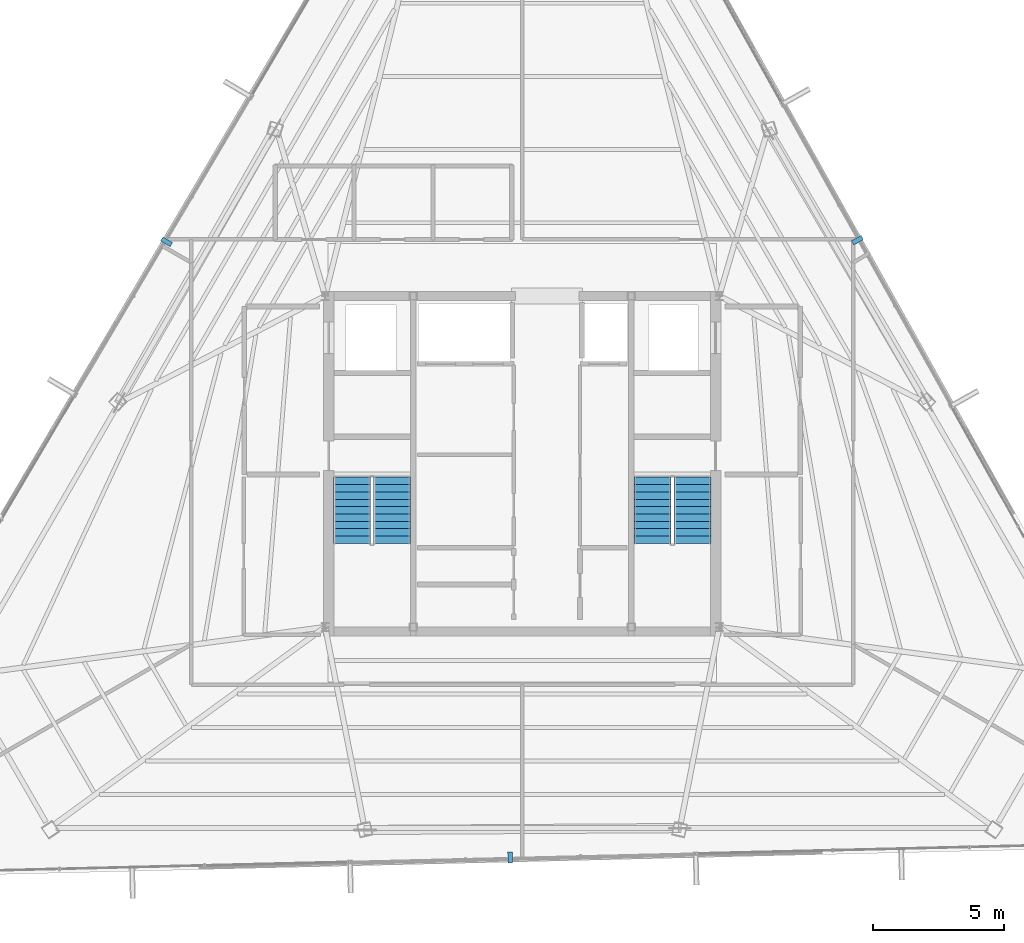
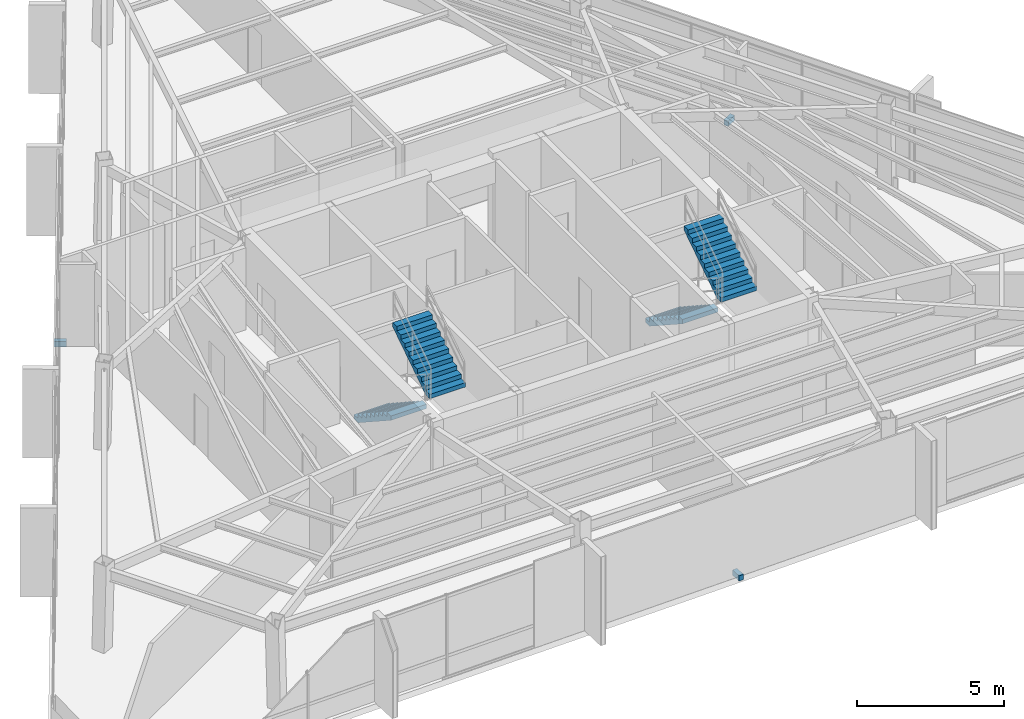
# One storey, part 43 of 45: 4 stair flights, 3 discrete accessories, 2 elements without a shape of their own.
"""IFC4 building model written with IfcOpenShell, lengths in metres."""

from ifc_helpers import new_model, si_unit, direction, frame, origin, origin_2d, place, context, subcontext, project, spatial, polyline, rectangle, outline, extrude, source, transform, mapped, material, type_object, type_shapes, element, aggregate, save


model = new_model("IFC4")

# Units and contexts
model_context = context("Model", 3, precision=1e-05, world=origin(), true_north=direction((0.0, 1.0)))
body_context = subcontext(model_context, "Body", "Model", "MODEL_VIEW")
ifc_project = project(units=[si_unit("LENGTHUNIT", "METRE"), si_unit("AREAUNIT", "SQUARE_METRE"), si_unit("VOLUMEUNIT", "CUBIC_METRE"), si_unit("PLANEANGLEUNIT", "RADIAN"), si_unit("MASSUNIT", "GRAM", prefix="KILO")], contexts=[model_context])

# Site, building, storey
site_placement = place(None, origin())
site = spatial("IfcSite", under=ifc_project, at=site_placement, CompositionType="ELEMENT")
building_placement = place(site_placement, origin())
building = spatial("IfcBuilding", under=site, at=building_placement, Name="Caelisora Broadcast Tower", CompositionType="ELEMENT")
storey_placement = place(building_placement, frame((0.0, 0.0, 273.64990234375)))
storey = spatial("IfcBuildingStorey", under=building, at=storey_placement, Name="L72", CompositionType="ELEMENT", Elevation=273.64990234375)

# Stair, stair flights
ifc_material_1 = material(Name="Concrete 40 MPa (AS 3600 N40)", Category="concrete")
stair_type_1 = type_object("IfcStairType", Name="ST-1", PredefinedType="HALF_TURN_STAIR", material=ifc_material_1)
stair_1_placement = place(storey_placement, origin())
stair_1 = element("IfcStair", 1, at=stair_1_placement, inside=storey, type_object=stair_type_1, Name="L72 West Fire-Isolated Tower Stair", PredefinedType="HALF_TURN_STAIR")
stair_flight_type = type_object("IfcStairFlightType", Name="STF-4", PredefinedType="STRAIGHT", material=ifc_material_1)
stair_flight_1_placement = place(storey_placement, frame((31.52001953125, 23.10009765625, 0.0), z_axis=(0.0, 0.0, 1.0), x_axis=(0.0, -1.0, 0.0)))
stair_flight_1 = element("IfcStairFlight", 2, at=stair_flight_1_placement, type_object=stair_flight_type, Name="ST-1 flight 1", NumberOfRisers=10, NumberOfTreads=9, PredefinedType="STRAIGHT", RiserHeight=0.1825, TreadLength=0.28, context=body_context, shape_type="SweptSolid", body=[
    extrude(outline(polyline([(0.0, 0.0), (0.0, 0.1826171875), (0.280029296875, 0.1826171875), (0.280029296875, 0.364990234375), (0.56005859375, 0.364990234375), (0.56005859375, 0.547607421875), (0.840087890625, 0.547607421875), (0.840087890625, 0.72998046875), (1.1201171875, 0.72998046875), (1.1201171875, 0.91259765625), (1.39990234375, 0.91259765625), (1.39990234375, 1.094970703125), (1.679931640625, 1.094970703125), (1.679931640625, 1.277587890625), (1.9599609375, 1.277587890625), (1.9599609375, 1.4599609375), (2.239990234375, 1.4599609375), (2.239990234375, 1.642578125), (2.52001953125, 1.642578125), (2.52001953125, 1.824951171875), (2.52001953125, 1.463623046875), (0.2744140625, 0.0), (0.0, 0.0)])), frame((0.0, 0.699951171875, 0.0), z_axis=(0.0, -1.0, 0.0), x_axis=(1.0, 0.0, 0.0)), (0.0, 0.0, 1.0), 1.39990234375),
])
stair_flight_2_placement = place(storey_placement, frame((33.0400390625, 20.580078125, 1.8251953125), z_axis=(0.0, 0.0, 1.0), x_axis=(0.0, 1.0, 0.0)))
stair_flight_2 = element("IfcStairFlight", 3, at=stair_flight_2_placement, type_object=stair_flight_type, Name="ST-1 flight 2", NumberOfRisers=10, NumberOfTreads=9, PredefinedType="STRAIGHT", RiserHeight=0.1825, TreadLength=0.28, context=body_context, shape_type="SweptSolid", body=[
    extrude(outline(polyline([(0.0, 0.0), (0.0, 0.1826171875), (0.280029296875, 0.1826171875), (0.280029296875, 0.364990234375), (0.56005859375, 0.364990234375), (0.56005859375, 0.547607421875), (0.840087890625, 0.547607421875), (0.840087890625, 0.72998046875), (1.1201171875, 0.72998046875), (1.1201171875, 0.91259765625), (1.39990234375, 0.91259765625), (1.39990234375, 1.094970703125), (1.679931640625, 1.094970703125), (1.679931640625, 1.277587890625), (1.9599609375, 1.277587890625), (1.9599609375, 1.4599609375), (2.239990234375, 1.4599609375), (2.239990234375, 1.642578125), (2.52001953125, 1.642578125), (2.52001953125, 1.824951171875), (2.52001953125, 1.463623046875), (0.2744140625, 0.0), (0.0, 0.0)])), frame((0.0, 0.699951171875, 0.0), z_axis=(0.0, -1.0, 0.0), x_axis=(1.0, 0.0, 0.0)), (0.0, 0.0, 1.0), 1.39990234375),
])
aggregate(stair_1, [stair_flight_1, stair_flight_2])

stair_type_2 = type_object("IfcStairType", Name="ST-2", PredefinedType="HALF_TURN_STAIR", material=ifc_material_1)
stair_2_placement = place(storey_placement, origin())
stair_2 = element("IfcStair", 4, at=stair_2_placement, inside=storey, type_object=stair_type_2, Name="L72 East Fire-Isolated Tower Stair", PredefinedType="HALF_TURN_STAIR")
stair_flight_3_placement = place(storey_placement, frame((42.9599609375, 23.10009765625, 0.0), z_axis=(0.0, 0.0, 1.0), x_axis=(0.0, -1.0, 0.0)))
stair_flight_3 = element("IfcStairFlight", 5, at=stair_flight_3_placement, type_object=stair_flight_type, Name="ST-2 flight 1", NumberOfRisers=10, NumberOfTreads=9, PredefinedType="STRAIGHT", RiserHeight=0.1825, TreadLength=0.28, context=body_context, shape_type="SweptSolid", body=[
    extrude(outline(polyline([(0.0, 0.0), (0.0, 0.1826171875), (0.280029296875, 0.1826171875), (0.280029296875, 0.364990234375), (0.56005859375, 0.364990234375), (0.56005859375, 0.547607421875), (0.840087890625, 0.547607421875), (0.840087890625, 0.72998046875), (1.1201171875, 0.72998046875), (1.1201171875, 0.91259765625), (1.39990234375, 0.91259765625), (1.39990234375, 1.094970703125), (1.679931640625, 1.094970703125), (1.679931640625, 1.277587890625), (1.9599609375, 1.277587890625), (1.9599609375, 1.4599609375), (2.239990234375, 1.4599609375), (2.239990234375, 1.642578125), (2.52001953125, 1.642578125), (2.52001953125, 1.824951171875), (2.52001953125, 1.463623046875), (0.2744140625, 0.0), (0.0, 0.0)])), frame((0.0, 0.699951171875, 0.0), z_axis=(0.0, -1.0, 0.0), x_axis=(1.0, 0.0, 0.0)), (0.0, 0.0, 1.0), 1.39990234375),
])
stair_flight_4_placement = place(storey_placement, frame((44.47998046875, 20.580078125, 1.8251953125), z_axis=(0.0, 0.0, 1.0), x_axis=(0.0, 1.0, 0.0)))
stair_flight_4 = element("IfcStairFlight", 6, at=stair_flight_4_placement, type_object=stair_flight_type, Name="ST-2 flight 2", NumberOfRisers=10, NumberOfTreads=9, PredefinedType="STRAIGHT", RiserHeight=0.1825, TreadLength=0.28, context=body_context, shape_type="SweptSolid", body=[
    extrude(outline(polyline([(0.0, 0.0), (0.0, 0.1826171875), (0.280029296875, 0.1826171875), (0.280029296875, 0.364990234375), (0.56005859375, 0.364990234375), (0.56005859375, 0.547607421875), (0.840087890625, 0.547607421875), (0.840087890625, 0.72998046875), (1.1201171875, 0.72998046875), (1.1201171875, 0.91259765625), (1.39990234375, 0.91259765625), (1.39990234375, 1.094970703125), (1.679931640625, 1.094970703125), (1.679931640625, 1.277587890625), (1.9599609375, 1.277587890625), (1.9599609375, 1.4599609375), (2.239990234375, 1.4599609375), (2.239990234375, 1.642578125), (2.52001953125, 1.642578125), (2.52001953125, 1.824951171875), (2.52001953125, 1.463623046875), (0.2744140625, 0.0), (0.0, 0.0)])), frame((0.0, 0.699951171875, 0.0), z_axis=(0.0, -1.0, 0.0), x_axis=(1.0, 0.0, 0.0)), (0.0, 0.0, 1.0), 1.39990234375),
])
aggregate(stair_2, [stair_flight_3, stair_flight_4])

# Discrete accessories
ifc_material_2 = material(Name="Steel Grade 350 (AS/NZS 3679.1)", Category="steel")
discrete_accessory_type = type_object("IfcDiscreteAccessoryType", Name="BRK-1", PredefinedType="BRACKET", material=ifc_material_2)
shared_shape = source(origin(), body_context, "Body", "SweptSolid", [
    extrude(rectangle(XDim=0.179931640625, YDim=0.419921875, at=origin_2d()), origin(), (0.0, 0.0, 1.0), 0.219970703125),
])
type_shapes(discrete_accessory_type, [shared_shape])
for number, where, z_axis, x_axis, name in (
    (7, (24.462890625, 32.060546875, -0.15966796875), (0.0, 0.0, 1.0), (-0.508590662521, -0.861008442465, 0.0), "L72 solar screen outrigger bracket #1"),
    (8, (37.543701171875, 8.630859375, -0.15966796875), (0.0, 0.0, 1.0), (0.999709957315, 0.024083215021, 0.0), "L72 solar screen outrigger bracket #2"),
    (9, (50.760009765625, 32.1201171875, -0.15966796875), (0.0, 0.0, 1.0), (-0.487707298065, 0.873007211547, 0.0), "L72 solar screen outrigger bracket #3"),
):
    element("IfcDiscreteAccessory", number, at=place(storey_placement, frame(where, z_axis=z_axis, x_axis=x_axis)), inside=storey, type_object=discrete_accessory_type, Name=name, PredefinedType="BRACKET", context=body_context, shape_type="MappedRepresentation", body=[
        mapped(shared_shape, transform((0.0, 0.0, 0.0), scale=1.0)),
    ])

save(model, "model.ifc")
